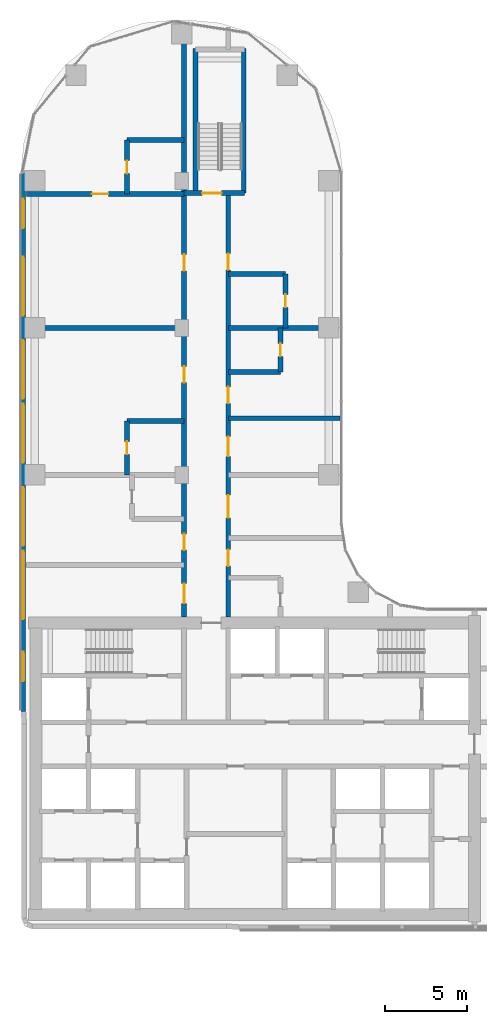
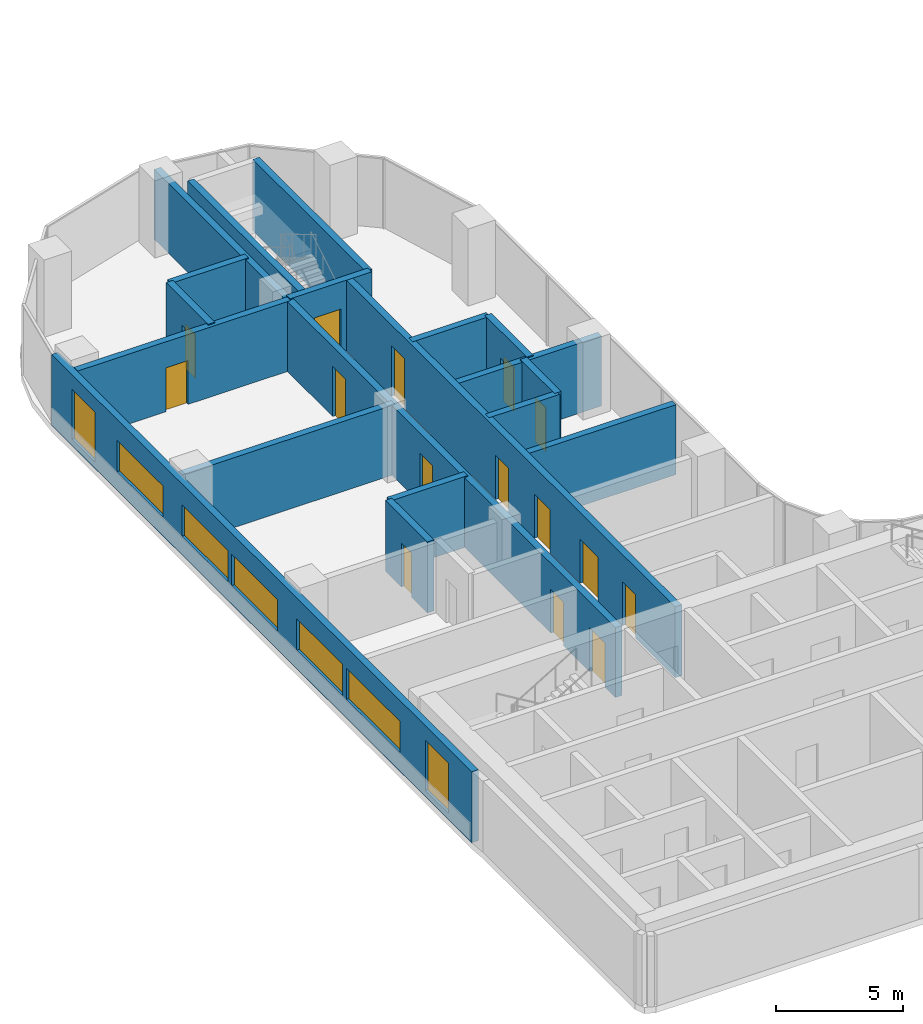
# One storey, part 21 of 35: 18 walls, 15 doors, 7 windows, 22 openings.
"""IFC4 building model written with IfcOpenShell, lengths in metres."""

from ifc_helpers import new_model, si_unit, direction, frame, frame_2d, origin, place, context, subcontext, project, spatial, rectangle, extrude, material, layer, layer_set, type_object, element, fill, save


model = new_model("IFC4")

# Units and contexts
model_context = context("Model", 3, precision=1e-05, world=origin(), true_north=direction((0.0, 1.0)))
body_context = subcontext(model_context, "Body", "Model", "MODEL_VIEW")
ifc_project = project(units=[si_unit("LENGTHUNIT", "METRE"), si_unit("AREAUNIT", "SQUARE_METRE"), si_unit("VOLUMEUNIT", "CUBIC_METRE"), si_unit("PLANEANGLEUNIT", "RADIAN"), si_unit("MASSUNIT", "GRAM", prefix="KILO")], contexts=[model_context])

# Site, building, storey
site_placement = place(None, origin())
site = spatial("IfcSite", under=ifc_project, at=site_placement, CompositionType="ELEMENT")
building_placement = place(site_placement, origin())
building = spatial("IfcBuilding", under=site, at=building_placement, Name="Ogive Portal Towers", CompositionType="ELEMENT")
storey_placement = place(building_placement, frame((0.0, 0.0, 94.5)))
storey = spatial("IfcBuildingStorey", under=building, at=storey_placement, Name="L22", CompositionType="ELEMENT", Elevation=94.5)

# Wall, openings, windows
ifc_material_1 = material(Name="Limestone cladding on lightweight block wall", Category="masonry")
ifc_layer_1 = layer(ifc_material_1, 0.300048828125)
ifc_layer_set_1 = layer_set([ifc_layer_1], Name="EXTERNAL WALL 300 STONE")
wall_type_1 = type_object("IfcWallType", Name="EXTERNAL WALL 300 STONE", PredefinedType="SOLIDWALL", material=ifc_layer_set_1)
wall_1_placement = place(storey_placement, frame((30.794921875, 66.9921875, 0.0), z_axis=(0.0, 0.0, 1.0), x_axis=(0.0, -1.0, 0.0)))
wall_1 = element("IfcWall", 1, at=wall_1_placement, inside=storey, type_object=wall_type_1, Name="A:L22:f24:r0:wall", PredefinedType="SOLIDWALL", context=body_context, shape_type="SweptSolid", body=[
    extrude(rectangle(XDim=32.9814453125, YDim=0.300048828125, at=frame_2d((16.49072265625, 0.0))), origin(), (0.0, 0.0, 1.0), 3.39990234375),
])
opening_1_placement = place(wall_1_placement, frame((1.595947265625, 0.0, 0.300048828125)))
opening_1 = element("IfcOpeningElement", 2, at=opening_1_placement, cuts=wall_1, Name="Opening WN10", PredefinedType="OPENING", context=body_context, shape_type="SweptSolid", body=[
    extrude(rectangle(XDim=1.800048828125, YDim=2.39990234375, at=frame_2d((0.89990234375, 1.199951171875))), frame((0.0, 0.16015625, 0.0), z_axis=(0.0, -1.0, 0.0), x_axis=(1.0, 0.0, 0.0)), (0.0, 0.0, 1.0), 0.320068359375),
])
opening_2_placement = place(wall_1_placement, frame((5.14208984375, 0.0, 0.89990234375)))
opening_2 = element("IfcOpeningElement", 3, at=opening_2_placement, cuts=wall_1, Name="Opening WN12", PredefinedType="OPENING", context=body_context, shape_type="SweptSolid", body=[
    extrude(rectangle(XDim=3.60009765625, YDim=1.5, at=frame_2d((1.800048828125, 0.75))), frame((0.0, 0.16015625, 0.0), z_axis=(0.0, -1.0, 0.0), x_axis=(1.0, 0.0, 0.0)), (0.0, 0.0, 1.0), 0.320068359375),
])
opening_3_placement = place(wall_1_placement, frame((10.2421875, 0.0, 0.89990234375)))
opening_3 = element("IfcOpeningElement", 4, at=opening_3_placement, cuts=wall_1, Name="Opening WN12", PredefinedType="OPENING", context=body_context, shape_type="SweptSolid", body=[
    extrude(rectangle(XDim=3.60009765625, YDim=1.5, at=frame_2d((1.800048828125, 0.75))), frame((0.0, 0.16015625, 0.0), z_axis=(0.0, -1.0, 0.0), x_axis=(1.0, 0.0, 0.0)), (0.0, 0.0, 1.0), 0.320068359375),
])
opening_4_placement = place(wall_1_placement, frame((14.14208984375, 0.0, 0.89990234375)))
opening_4 = element("IfcOpeningElement", 5, at=opening_4_placement, cuts=wall_1, Name="Opening WN12", PredefinedType="OPENING", context=body_context, shape_type="SweptSolid", body=[
    extrude(rectangle(XDim=3.60009765625, YDim=1.5, at=frame_2d((1.800048828125, 0.75))), frame((0.0, 0.16015625, 0.0), z_axis=(0.0, -1.0, 0.0), x_axis=(1.0, 0.0, 0.0)), (0.0, 0.0, 1.0), 0.320068359375),
])
opening_5_placement = place(wall_1_placement, frame((19.2421875, 0.0, 0.89990234375)))
opening_5 = element("IfcOpeningElement", 6, at=opening_5_placement, cuts=wall_1, Name="Opening WN12", PredefinedType="OPENING", context=body_context, shape_type="SweptSolid", body=[
    extrude(rectangle(XDim=3.60009765625, YDim=1.5, at=frame_2d((1.800048828125, 0.75))), frame((0.0, 0.16015625, 0.0), z_axis=(0.0, -1.0, 0.0), x_axis=(1.0, 0.0, 0.0)), (0.0, 0.0, 1.0), 0.320068359375),
])
opening_6_placement = place(wall_1_placement, frame((23.14208984375, 0.0, 0.89990234375)))
opening_6 = element("IfcOpeningElement", 7, at=opening_6_placement, cuts=wall_1, Name="Opening WN11", PredefinedType="OPENING", context=body_context, shape_type="SweptSolid", body=[
    extrude(rectangle(XDim=4.199951171875, YDim=1.5, at=frame_2d((2.10009765625, 0.75))), frame((0.0, 0.16015625, 0.0), z_axis=(0.0, -1.0, 0.0), x_axis=(1.0, 0.0, 0.0)), (0.0, 0.0, 1.0), 0.320068359375),
])
opening_7_placement = place(wall_1_placement, frame((29.336669921875, 0.0, 0.300048828125)))
opening_7 = element("IfcOpeningElement", 8, at=opening_7_placement, cuts=wall_1, Name="Opening WN10", PredefinedType="OPENING", context=body_context, shape_type="SweptSolid", body=[
    extrude(rectangle(XDim=1.800048828125, YDim=2.39990234375, at=frame_2d((0.89990234375, 1.199951171875))), frame((0.0, 0.16015625, 0.0), z_axis=(0.0, -1.0, 0.0), x_axis=(1.0, 0.0, 0.0)), (0.0, 0.0, 1.0), 0.320068359375),
])
ifc_material_2 = material(Name="Glass, clear low-iron insulated glazing", Category="glass")
window_type_1 = type_object("IfcWindowType", Name="WINDOW RIBBON 3600x1500", PartitioningType="TRIPLE_PANEL_VERTICAL", PredefinedType="WINDOW", material=ifc_material_2)
window_1_placement = place(opening_2_placement, origin())
window_1 = element("IfcWindow", 9, at=window_1_placement, inside=storey, type_object=window_type_1, Name="A:L22:f24:r0:w1", OverallHeight=1.5, OverallWidth=3.60009765625, PartitioningType="SINGLE_PANEL", PredefinedType="WINDOW", context=body_context, shape_type="SweptSolid", body=[
    extrude(rectangle(XDim=3.60009765625, YDim=1.5, at=frame_2d((1.800048828125, 0.75))), frame((0.0, 0.030029296875, 0.0), z_axis=(0.0, -1.0, 0.0), x_axis=(1.0, 0.0, 0.0)), (0.0, 0.0, 1.0), 0.06005859375),
])
fill(opening_2, window_1)
window_2_placement = place(opening_3_placement, origin())
window_2 = element("IfcWindow", 10, at=window_2_placement, inside=storey, type_object=window_type_1, Name="A:L22:f24:r0:w2", OverallHeight=1.5, OverallWidth=3.60009765625, PartitioningType="SINGLE_PANEL", PredefinedType="WINDOW", context=body_context, shape_type="SweptSolid", body=[
    extrude(rectangle(XDim=3.60009765625, YDim=1.5, at=frame_2d((1.800048828125, 0.75))), frame((0.0, 0.030029296875, 0.0), z_axis=(0.0, -1.0, 0.0), x_axis=(1.0, 0.0, 0.0)), (0.0, 0.0, 1.0), 0.06005859375),
])
fill(opening_3, window_2)
window_3_placement = place(opening_4_placement, origin())
window_3 = element("IfcWindow", 11, at=window_3_placement, inside=storey, type_object=window_type_1, Name="A:L22:f24:r0:w3", OverallHeight=1.5, OverallWidth=3.60009765625, PartitioningType="SINGLE_PANEL", PredefinedType="WINDOW", context=body_context, shape_type="SweptSolid", body=[
    extrude(rectangle(XDim=3.60009765625, YDim=1.5, at=frame_2d((1.800048828125, 0.75))), frame((0.0, 0.030029296875, 0.0), z_axis=(0.0, -1.0, 0.0), x_axis=(1.0, 0.0, 0.0)), (0.0, 0.0, 1.0), 0.06005859375),
])
fill(opening_4, window_3)
window_4_placement = place(opening_5_placement, origin())
window_4 = element("IfcWindow", 12, at=window_4_placement, inside=storey, type_object=window_type_1, Name="A:L22:f24:r0:w4", OverallHeight=1.5, OverallWidth=3.60009765625, PartitioningType="SINGLE_PANEL", PredefinedType="WINDOW", context=body_context, shape_type="SweptSolid", body=[
    extrude(rectangle(XDim=3.60009765625, YDim=1.5, at=frame_2d((1.800048828125, 0.75))), frame((0.0, 0.030029296875, 0.0), z_axis=(0.0, -1.0, 0.0), x_axis=(1.0, 0.0, 0.0)), (0.0, 0.0, 1.0), 0.06005859375),
])
fill(opening_5, window_4)
window_type_2 = type_object("IfcWindowType", Name="WINDOW RIBBON 4200x1500", PartitioningType="TRIPLE_PANEL_VERTICAL", PredefinedType="WINDOW", material=ifc_material_2)
window_5_placement = place(opening_6_placement, origin())
window_5 = element("IfcWindow", 13, at=window_5_placement, inside=storey, type_object=window_type_2, Name="A:L22:f24:r0:w5", OverallHeight=1.5, OverallWidth=4.199951171875, PartitioningType="SINGLE_PANEL", PredefinedType="WINDOW", context=body_context, shape_type="SweptSolid", body=[
    extrude(rectangle(XDim=4.199951171875, YDim=1.5, at=frame_2d((2.10009765625, 0.75))), frame((0.0, 0.030029296875, 0.0), z_axis=(0.0, -1.0, 0.0), x_axis=(1.0, 0.0, 0.0)), (0.0, 0.0, 1.0), 0.06005859375),
])
fill(opening_6, window_5)
window_type_3 = type_object("IfcWindowType", Name="WINDOW SUITE CORNER 1800x2400", PartitioningType="DOUBLE_PANEL_VERTICAL", PredefinedType="WINDOW", material=ifc_material_2)
window_6_placement = place(opening_1_placement, origin())
window_6 = element("IfcWindow", 14, at=window_6_placement, inside=storey, type_object=window_type_3, Name="A:L22:f24:r0:w0", OverallHeight=2.39990234375, OverallWidth=1.800048828125, PartitioningType="SINGLE_PANEL", PredefinedType="WINDOW", context=body_context, shape_type="SweptSolid", body=[
    extrude(rectangle(XDim=1.800048828125, YDim=2.39990234375, at=frame_2d((0.89990234375, 1.199951171875))), frame((0.0, 0.030029296875, 0.0), z_axis=(0.0, -1.0, 0.0), x_axis=(1.0, 0.0, 0.0)), (0.0, 0.0, 1.0), 0.06005859375),
])
fill(opening_1, window_6)
window_7_placement = place(opening_7_placement, origin())
window_7 = element("IfcWindow", 15, at=window_7_placement, inside=storey, type_object=window_type_3, Name="A:L22:f24:r0:w6", OverallHeight=2.39990234375, OverallWidth=1.800048828125, PartitioningType="SINGLE_PANEL", PredefinedType="WINDOW", context=body_context, shape_type="SweptSolid", body=[
    extrude(rectangle(XDim=1.800048828125, YDim=2.39990234375, at=frame_2d((0.89990234375, 1.199951171875))), frame((0.0, 0.030029296875, 0.0), z_axis=(0.0, -1.0, 0.0), x_axis=(1.0, 0.0, 0.0)), (0.0, 0.0, 1.0), 0.06005859375),
])
fill(opening_7, window_7)

# Wall, opening, door
ifc_material_3 = material(Name="Concrete C50/60", Category="concrete")
ifc_layer_2 = layer(ifc_material_3, 0.300048828125)
ifc_layer_set_2 = layer_set([ifc_layer_2], Name="STAIR WALL 300 C50")
wall_type_2 = type_object("IfcWallType", Name="STAIR WALL 300 C50", PredefinedType="SHEAR", material=ifc_layer_set_2)
wall_2_placement = place(storey_placement, frame((40.64990234375, 65.75, 0.0), z_axis=(0.0, 0.0, 1.0), x_axis=(1.0, 0.0, 0.0)))
wall_2 = element("IfcWall", 16, at=wall_2_placement, inside=storey, type_object=wall_type_2, Name="Stair wall ST-A3 L22", PredefinedType="SHEAR", context=body_context, shape_type="SweptSolid", body=[
    extrude(rectangle(XDim=3.7001953125, YDim=0.300048828125, at=frame_2d((1.85009765625, 0.0))), origin(), (0.0, 0.0, 1.0), 3.39990234375),
])
opening_8_placement = place(wall_2_placement, frame((1.10009765625, 0.0, 0.0)))
opening_8 = element("IfcOpeningElement", 17, at=opening_8_placement, cuts=wall_2, Name="Opening D07-065", PredefinedType="OPENING", context=body_context, shape_type="SweptSolid", body=[
    extrude(rectangle(XDim=1.199951171875, YDim=2.10009765625, at=frame_2d((0.60009765625, 1.050048828125))), frame((0.0, 0.16015625, 0.0), z_axis=(0.0, -1.0, 0.0), x_axis=(1.0, 0.0, 0.0)), (0.0, 0.0, 1.0), 0.320068359375),
])
ifc_material_4 = material(Name="Steel fire door", Category="steel")
door_type_1 = type_object("IfcDoorType", Name="DT-STAIR-1200x2100-FD90S", OperationType="SINGLE_SWING_LEFT", PredefinedType="DOOR", material=ifc_material_4)
door_1_placement = place(opening_8_placement, origin())
door_1 = element("IfcDoor", 18, at=door_1_placement, inside=storey, type_object=door_type_1, Name="Door D07-065", OperationType="SINGLE_SWING_RIGHT", OverallHeight=2.10009765625, OverallWidth=1.199951171875, PredefinedType="DOOR", context=body_context, shape_type="SweptSolid", body=[
    extrude(rectangle(XDim=1.199951171875, YDim=2.10009765625, at=frame_2d((0.60009765625, 1.050048828125))), frame((0.0, 0.02490234375, 0.0), z_axis=(0.0, -1.0, 0.0), x_axis=(1.0, 0.0, 0.0)), (0.0, 0.0, 1.0), 0.050048828125),
])
fill(opening_8, door_1)

# Walls
for number, where, z_axis, x_axis, name in (
    (19, (41.35009765625, 65.75, 0.0), (0.0, 0.0, 1.0), (0.0, 1.0, 0.0), "Stair wall ST-A3 L22"),
    (20, (44.300048828125, 65.75, 0.0), (0.0, 0.0, 1.0), (0.0, 1.0, 0.0), "Stair wall ST-A3 L22"),
):
    element("IfcWall", number, at=place(storey_placement, frame(where, z_axis=z_axis, x_axis=x_axis)), inside=storey, type_object=wall_type_2, Name=name, PredefinedType="SHEAR", context=body_context, shape_type="SweptSolid", body=[
        extrude(rectangle(XDim=8.85009765625, YDim=0.300048828125, at=frame_2d((4.425048828125, 0.0))), origin(), (0.0, 0.0, 1.0), 3.39990234375),
    ])
ifc_material_5 = material(Name="Gypsum board partition on steel studs", Category="steel")
ifc_layer_3 = layer(ifc_material_5, 0.300048828125)
ifc_layer_set_3 = layer_set([ifc_layer_3], Name="WT-PART-300-EI 60")
wall_type_3 = type_object("IfcWallType", Name="WT-PART-300-EI 60", PredefinedType="PARTITIONING", material=ifc_layer_set_3)
wall_3_placement = place(storey_placement, frame((37.14990234375, 51.800048828125, 0.0), z_axis=(0.0, 0.0, 1.0), x_axis=(1.0, 0.0, 0.0)))
element("IfcWall", 21, at=wall_3_placement, inside=storey, type_object=wall_type_3, Name="Wall L22:w022", PredefinedType="PARTITIONING", context=body_context, shape_type="SweptSolid", body=[
    extrude(rectangle(XDim=3.5, YDim=0.300048828125, at=frame_2d((1.75, 0.0))), origin(), (0.0, 0.0, 1.0), 3.39990234375),
])
wall_4_placement = place(storey_placement, frame((43.35009765625, 51.969970703125, 0.0), z_axis=(0.0, 0.0, 1.0), x_axis=(1.0, 0.0, 0.0)))
element("IfcWall", 22, at=wall_4_placement, inside=storey, type_object=wall_type_3, Name="Wall L22:w023", PredefinedType="PARTITIONING", context=body_context, shape_type="SweptSolid", body=[
    extrude(rectangle(XDim=6.8349609375, YDim=0.300048828125, at=frame_2d((3.41748046875, 0.0))), origin(), (0.0, 0.0, 1.0), 3.35009765625),
])
wall_5_placement = place(storey_placement, frame((43.35009765625, 54.800048828125, 0.0), z_axis=(0.0, 0.0, 1.0), x_axis=(1.0, 0.0, 0.0)))
element("IfcWall", 23, at=wall_5_placement, inside=storey, type_object=wall_type_3, Name="Wall L22:w024", PredefinedType="PARTITIONING", context=body_context, shape_type="SweptSolid", body=[
    extrude(rectangle(XDim=3.199951171875, YDim=0.300048828125, at=frame_2d((1.60009765625, 0.0))), origin(), (0.0, 0.0, 1.0), 3.39990234375),
])
wall_6_placement = place(storey_placement, frame((30.9951171875, 57.5, 0.0), z_axis=(0.0, 0.0, 1.0), x_axis=(1.0, 0.0, 0.0)))
element("IfcWall", 24, at=wall_6_placement, inside=storey, type_object=wall_type_3, Name="Wall L22:w025", PredefinedType="PARTITIONING", context=body_context, shape_type="SweptSolid", body=[
    extrude(rectangle(XDim=9.65478515625, YDim=0.300048828125, at=frame_2d((4.827392578125, 0.0))), origin(), (0.0, 0.0, 1.0), 3.35009765625),
])
wall_7_placement = place(storey_placement, frame((43.35009765625, 57.5, 0.0), z_axis=(0.0, 0.0, 1.0), x_axis=(1.0, 0.0, 0.0)))
element("IfcWall", 25, at=wall_7_placement, inside=storey, type_object=wall_type_3, Name="Wall L22:w026", PredefinedType="PARTITIONING", context=body_context, shape_type="SweptSolid", body=[
    extrude(rectangle(XDim=6.65478515625, YDim=0.300048828125, at=frame_2d((3.327392578125, 0.0))), origin(), (0.0, 0.0, 1.0), 3.35009765625),
])
wall_8_placement = place(storey_placement, frame((43.35009765625, 60.800048828125, 0.0), z_axis=(0.0, 0.0, 1.0), x_axis=(1.0, 0.0, 0.0)))
element("IfcWall", 26, at=wall_8_placement, inside=storey, type_object=wall_type_3, Name="Wall L22:w027", PredefinedType="PARTITIONING", context=body_context, shape_type="SweptSolid", body=[
    extrude(rectangle(XDim=3.5, YDim=0.300048828125, at=frame_2d((1.75, 0.0))), origin(), (0.0, 0.0, 1.0), 3.39990234375),
])

# Wall, opening, door
wall_9_placement = place(storey_placement, frame((30.9951171875, 65.699951171875, 0.0), z_axis=(0.0, 0.0, 1.0), x_axis=(1.0, 0.0, 0.0)))
wall_9 = element("IfcWall", 27, at=wall_9_placement, inside=storey, type_object=wall_type_3, Name="Wall L22:w028", PredefinedType="PARTITIONING", context=body_context, shape_type="SweptSolid", body=[
    extrude(rectangle(XDim=9.65478515625, YDim=0.300048828125, at=frame_2d((4.827392578125, 0.0))), origin(), (0.0, 0.0, 1.0), 3.35009765625),
])
opening_9_placement = place(wall_9_placement, frame((4.0048828125, 0.0, 0.0)))
opening_9 = element("IfcOpeningElement", 28, at=opening_9_placement, cuts=wall_9, Name="Opening D07-059", PredefinedType="OPENING", context=body_context, shape_type="SweptSolid", body=[
    extrude(rectangle(XDim=1.0, YDim=2.10009765625, at=frame_2d((0.5, 1.050048828125))), frame((0.0, 0.16015625, 0.0), z_axis=(0.0, -1.0, 0.0), x_axis=(1.0, 0.0, 0.0)), (0.0, 0.0, 1.0), 0.320068359375),
])
door_type_2 = type_object("IfcDoorType", Name="DT-ENTRY-1000x2100-FD60S", OperationType="SINGLE_SWING_LEFT", PredefinedType="DOOR", material=ifc_material_4)
door_2_placement = place(opening_9_placement, origin())
door_2 = element("IfcDoor", 29, at=door_2_placement, inside=storey, type_object=door_type_2, Name="Door D07-059", OperationType="SINGLE_SWING_LEFT", OverallHeight=2.10009765625, OverallWidth=1.0, PredefinedType="DOOR", context=body_context, shape_type="SweptSolid", body=[
    extrude(rectangle(XDim=1.0, YDim=2.10009765625, at=frame_2d((0.5, 1.050048828125))), frame((0.0, 0.02490234375, 0.0), z_axis=(0.0, -1.0, 0.0), x_axis=(1.0, 0.0, 0.0)), (0.0, 0.0, 1.0), 0.050048828125),
])
fill(opening_9, door_2)

# Wall
wall_10_placement = place(storey_placement, frame((37.14990234375, 69.0, 0.0), z_axis=(0.0, 0.0, 1.0), x_axis=(1.0, 0.0, 0.0)))
element("IfcWall", 30, at=wall_10_placement, inside=storey, type_object=wall_type_3, Name="Wall L22:w030", PredefinedType="PARTITIONING", context=body_context, shape_type="SweptSolid", body=[
    extrude(rectangle(XDim=3.5, YDim=0.300048828125, at=frame_2d((1.75, 0.0))), origin(), (0.0, 0.0, 1.0), 3.39990234375),
])

# Wall, opening, door
wall_11_placement = place(storey_placement, frame((37.14990234375, 48.5, 0.0), z_axis=(0.0, 0.0, 1.0), x_axis=(0.0, 1.0, 0.0)))
wall_11 = element("IfcWall", 31, at=wall_11_placement, inside=storey, type_object=wall_type_3, Name="Wall L22:w032", PredefinedType="PARTITIONING", context=body_context, shape_type="SweptSolid", body=[
    extrude(rectangle(XDim=3.300048828125, YDim=0.300048828125, at=frame_2d((1.64990234375, 0.0))), origin(), (0.0, 0.0, 1.0), 3.39990234375),
])
opening_10_placement = place(wall_11_placement, frame((1.25, 0.0, 0.0)))
opening_10 = element("IfcOpeningElement", 32, at=opening_10_placement, cuts=wall_11, Name="Opening D07-054", PredefinedType="OPENING", context=body_context, shape_type="SweptSolid", body=[
    extrude(rectangle(XDim=0.800048828125, YDim=2.10009765625, at=frame_2d((0.39990234375, 1.050048828125))), frame((0.0, 0.16015625, 0.0), z_axis=(0.0, -1.0, 0.0), x_axis=(1.0, 0.0, 0.0)), (0.0, 0.0, 1.0), 0.320068359375),
])
door_type_3 = type_object("IfcDoorType", Name="DT-BATH-800x2100-FD60S", OperationType="SINGLE_SWING_LEFT", PredefinedType="DOOR", material=ifc_material_4)
door_3_placement = place(opening_10_placement, origin())
door_3 = element("IfcDoor", 33, at=door_3_placement, inside=storey, type_object=door_type_3, Name="Door D07-054", OperationType="SINGLE_SWING_RIGHT", OverallHeight=2.10009765625, OverallWidth=0.800048828125, PredefinedType="DOOR", context=body_context, shape_type="SweptSolid", body=[
    extrude(rectangle(XDim=0.800048828125, YDim=2.10009765625, at=frame_2d((0.39990234375, 1.050048828125))), frame((0.0, 0.02490234375, 0.0), z_axis=(0.0, -1.0, 0.0), x_axis=(1.0, 0.0, 0.0)), (0.0, 0.0, 1.0), 0.050048828125),
])
fill(opening_10, door_3)

wall_12_placement = place(storey_placement, frame((37.14990234375, 65.699951171875, 0.0), z_axis=(0.0, 0.0, 1.0), x_axis=(0.0, 1.0, 0.0)))
wall_12 = element("IfcWall", 34, at=wall_12_placement, inside=storey, type_object=wall_type_3, Name="Wall L22:w033", PredefinedType="PARTITIONING", context=body_context, shape_type="SweptSolid", body=[
    extrude(rectangle(XDim=3.300048828125, YDim=0.300048828125, at=frame_2d((1.64990234375, 0.0))), origin(), (0.0, 0.0, 1.0), 3.39990234375),
])
opening_11_placement = place(wall_12_placement, frame((1.25, 0.0, 0.0)))
opening_11 = element("IfcOpeningElement", 35, at=opening_11_placement, cuts=wall_12, Name="Opening D07-060", PredefinedType="OPENING", context=body_context, shape_type="SweptSolid", body=[
    extrude(rectangle(XDim=0.800048828125, YDim=2.10009765625, at=frame_2d((0.39990234375, 1.050048828125))), frame((0.0, 0.16015625, 0.0), z_axis=(0.0, -1.0, 0.0), x_axis=(1.0, 0.0, 0.0)), (0.0, 0.0, 1.0), 0.320068359375),
])
door_4_placement = place(opening_11_placement, origin())
door_4 = element("IfcDoor", 36, at=door_4_placement, inside=storey, type_object=door_type_3, Name="Door D07-060", OperationType="SINGLE_SWING_LEFT", OverallHeight=2.10009765625, OverallWidth=0.800048828125, PredefinedType="DOOR", context=body_context, shape_type="SweptSolid", body=[
    extrude(rectangle(XDim=0.800048828125, YDim=2.10009765625, at=frame_2d((0.39990234375, 1.050048828125))), frame((0.0, 0.02490234375, 0.0), z_axis=(0.0, -1.0, 0.0), x_axis=(1.0, 0.0, 0.0)), (0.0, 0.0, 1.0), 0.050048828125),
])
fill(opening_11, door_4)

# Wall, openings, doors
wall_13_placement = place(storey_placement, frame((40.64990234375, 39.800048828125, 0.0), z_axis=(0.0, 0.0, 1.0), x_axis=(0.0, 1.0, 0.0)))
wall_13 = element("IfcWall", 37, at=wall_13_placement, inside=storey, type_object=wall_type_3, Name="Wall L22:w035", PredefinedType="PARTITIONING", context=body_context, shape_type="SweptSolid", body=[
    extrude(rectangle(XDim=36.204833984375, YDim=0.300048828125, at=frame_2d((18.1025390625, 0.0))), origin(), (0.0, 0.0, 1.0), 3.35009765625),
])
opening_12_placement = place(wall_13_placement, frame((0.8349609375, 0.0, 0.0)))
opening_12 = element("IfcOpeningElement", 38, at=opening_12_placement, cuts=wall_13, Name="Opening D07-048", PredefinedType="OPENING", context=body_context, shape_type="SweptSolid", body=[
    extrude(rectangle(XDim=1.199951171875, YDim=2.10009765625, at=frame_2d((0.60009765625, 1.050048828125))), frame((0.0, 0.16015625, 0.0), z_axis=(0.0, -1.0, 0.0), x_axis=(1.0, 0.0, 0.0)), (0.0, 0.0, 1.0), 0.320068359375),
])
opening_13_placement = place(wall_13_placement, frame((4.0849609375, 0.0, 0.0)))
opening_13 = element("IfcOpeningElement", 39, at=opening_13_placement, cuts=wall_13, Name="Opening D07-050", PredefinedType="OPENING", context=body_context, shape_type="SweptSolid", body=[
    extrude(rectangle(XDim=1.0, YDim=2.10009765625, at=frame_2d((0.5, 1.050048828125))), frame((0.0, 0.16015625, 0.0), z_axis=(0.0, -1.0, 0.0), x_axis=(1.0, 0.0, 0.0)), (0.0, 0.0, 1.0), 0.320068359375),
])
opening_14_placement = place(wall_13_placement, frame((14.35009765625, 0.0, 0.0)))
opening_14 = element("IfcOpeningElement", 40, at=opening_14_placement, cuts=wall_13, Name="Opening D07-055", PredefinedType="OPENING", context=body_context, shape_type="SweptSolid", body=[
    extrude(rectangle(XDim=1.0, YDim=2.39990234375, at=frame_2d((0.5, 1.199951171875))), frame((0.0, 0.16015625, 0.0), z_axis=(0.0, -1.0, 0.0), x_axis=(1.0, 0.0, 0.0)), (0.0, 0.0, 1.0), 0.320068359375),
])
opening_15_placement = place(wall_13_placement, frame((21.199951171875, 0.0, 0.0)))
opening_15 = element("IfcOpeningElement", 41, at=opening_15_placement, cuts=wall_13, Name="Opening D07-058", PredefinedType="OPENING", context=body_context, shape_type="SweptSolid", body=[
    extrude(rectangle(XDim=1.0, YDim=2.39990234375, at=frame_2d((0.5, 1.199951171875))), frame((0.0, 0.16015625, 0.0), z_axis=(0.0, -1.0, 0.0), x_axis=(1.0, 0.0, 0.0)), (0.0, 0.0, 1.0), 0.320068359375),
])
door_5_placement = place(opening_13_placement, origin())
door_5 = element("IfcDoor", 42, at=door_5_placement, inside=storey, type_object=door_type_2, Name="Door D07-050", OperationType="SINGLE_SWING_RIGHT", OverallHeight=2.10009765625, OverallWidth=1.0, PredefinedType="DOOR", context=body_context, shape_type="SweptSolid", body=[
    extrude(rectangle(XDim=1.0, YDim=2.10009765625, at=frame_2d((0.5, 1.050048828125))), frame((0.0, 0.02490234375, 0.0), z_axis=(0.0, -1.0, 0.0), x_axis=(1.0, 0.0, 0.0)), (0.0, 0.0, 1.0), 0.050048828125),
])
fill(opening_13, door_5)
door_type_4 = type_object("IfcDoorType", Name="DT-ENTRY-1000x2400-FD60S", OperationType="SINGLE_SWING_LEFT", PredefinedType="DOOR", material=ifc_material_4)
door_6_placement = place(opening_14_placement, origin())
door_6 = element("IfcDoor", 43, at=door_6_placement, inside=storey, type_object=door_type_4, Name="Door D07-055", OperationType="SINGLE_SWING_LEFT", OverallHeight=2.39990234375, OverallWidth=1.0, PredefinedType="DOOR", context=body_context, shape_type="SweptSolid", body=[
    extrude(rectangle(XDim=1.0, YDim=2.39990234375, at=frame_2d((0.5, 1.199951171875))), frame((0.0, 0.02490234375, 0.0), z_axis=(0.0, -1.0, 0.0), x_axis=(1.0, 0.0, 0.0)), (0.0, 0.0, 1.0), 0.050048828125),
])
fill(opening_14, door_6)
door_7_placement = place(opening_15_placement, origin())
door_7 = element("IfcDoor", 44, at=door_7_placement, inside=storey, type_object=door_type_4, Name="Door D07-058", OperationType="SINGLE_SWING_RIGHT", OverallHeight=2.39990234375, OverallWidth=1.0, PredefinedType="DOOR", context=body_context, shape_type="SweptSolid", body=[
    extrude(rectangle(XDim=1.0, YDim=2.39990234375, at=frame_2d((0.5, 1.199951171875))), frame((0.0, 0.02490234375, 0.0), z_axis=(0.0, -1.0, 0.0), x_axis=(1.0, 0.0, 0.0)), (0.0, 0.0, 1.0), 0.050048828125),
])
fill(opening_15, door_7)
door_type_5 = type_object("IfcDoorType", Name="DT-ENTRY-1200x2100-FD60S", OperationType="SINGLE_SWING_LEFT", PredefinedType="DOOR", material=ifc_material_4)
door_8_placement = place(opening_12_placement, origin())
door_8 = element("IfcDoor", 45, at=door_8_placement, inside=storey, type_object=door_type_5, Name="Door D07-048", OperationType="SINGLE_SWING_LEFT", OverallHeight=2.10009765625, OverallWidth=1.199951171875, PredefinedType="DOOR", context=body_context, shape_type="SweptSolid", body=[
    extrude(rectangle(XDim=1.199951171875, YDim=2.10009765625, at=frame_2d((0.60009765625, 1.050048828125))), frame((0.0, 0.02490234375, 0.0), z_axis=(0.0, -1.0, 0.0), x_axis=(1.0, 0.0, 0.0)), (0.0, 0.0, 1.0), 0.050048828125),
])
fill(opening_12, door_8)

# Wall, opening, door
wall_14_placement = place(storey_placement, frame((46.550048828125, 54.800048828125, 0.0), z_axis=(0.0, 0.0, 1.0), x_axis=(0.0, 1.0, 0.0)))
wall_14 = element("IfcWall", 46, at=wall_14_placement, inside=storey, type_object=wall_type_3, Name="Wall L22:w041", PredefinedType="PARTITIONING", context=body_context, shape_type="SweptSolid", body=[
    extrude(rectangle(XDim=2.699951171875, YDim=0.300048828125, at=frame_2d((1.35009765625, 0.0))), origin(), (0.0, 0.0, 1.0), 3.39990234375),
])
opening_16_placement = place(wall_14_placement, frame((0.949951171875, 0.0, 0.0)))
opening_16 = element("IfcOpeningElement", 47, at=opening_16_placement, cuts=wall_14, Name="Opening D07-052", PredefinedType="OPENING", context=body_context, shape_type="SweptSolid", body=[
    extrude(rectangle(XDim=0.800048828125, YDim=2.10009765625, at=frame_2d((0.39990234375, 1.050048828125))), frame((0.0, 0.16015625, 0.0), z_axis=(0.0, -1.0, 0.0), x_axis=(1.0, 0.0, 0.0)), (0.0, 0.0, 1.0), 0.320068359375),
])
door_9_placement = place(opening_16_placement, origin())
door_9 = element("IfcDoor", 48, at=door_9_placement, inside=storey, type_object=door_type_3, Name="Door D07-052", OperationType="SINGLE_SWING_LEFT", OverallHeight=2.10009765625, OverallWidth=0.800048828125, PredefinedType="DOOR", context=body_context, shape_type="SweptSolid", body=[
    extrude(rectangle(XDim=0.800048828125, YDim=2.10009765625, at=frame_2d((0.39990234375, 1.050048828125))), frame((0.0, 0.02490234375, 0.0), z_axis=(0.0, -1.0, 0.0), x_axis=(1.0, 0.0, 0.0)), (0.0, 0.0, 1.0), 0.050048828125),
])
fill(opening_16, door_9)

wall_15_placement = place(storey_placement, frame((46.85009765625, 57.5, 0.0), z_axis=(0.0, 0.0, 1.0), x_axis=(0.0, 1.0, 0.0)))
wall_15 = element("IfcWall", 49, at=wall_15_placement, inside=storey, type_object=wall_type_3, Name="Wall L22:w042", PredefinedType="PARTITIONING", context=body_context, shape_type="SweptSolid", body=[
    extrude(rectangle(XDim=3.300048828125, YDim=0.300048828125, at=frame_2d((1.64990234375, 0.0))), origin(), (0.0, 0.0, 1.0), 3.39990234375),
])
opening_17_placement = place(wall_15_placement, frame((1.25, 0.0, 0.0)))
opening_17 = element("IfcOpeningElement", 50, at=opening_17_placement, cuts=wall_15, Name="Opening D07-056", PredefinedType="OPENING", context=body_context, shape_type="SweptSolid", body=[
    extrude(rectangle(XDim=0.800048828125, YDim=2.10009765625, at=frame_2d((0.39990234375, 1.050048828125))), frame((0.0, 0.16015625, 0.0), z_axis=(0.0, -1.0, 0.0), x_axis=(1.0, 0.0, 0.0)), (0.0, 0.0, 1.0), 0.320068359375),
])
door_10_placement = place(opening_17_placement, origin())
door_10 = element("IfcDoor", 51, at=door_10_placement, inside=storey, type_object=door_type_3, Name="Door D07-056", OperationType="SINGLE_SWING_LEFT", OverallHeight=2.10009765625, OverallWidth=0.800048828125, PredefinedType="DOOR", context=body_context, shape_type="SweptSolid", body=[
    extrude(rectangle(XDim=0.800048828125, YDim=2.10009765625, at=frame_2d((0.39990234375, 1.050048828125))), frame((0.0, 0.02490234375, 0.0), z_axis=(0.0, -1.0, 0.0), x_axis=(1.0, 0.0, 0.0)), (0.0, 0.0, 1.0), 0.050048828125),
])
fill(opening_17, door_10)

# Wall, openings, doors
ifc_material_6 = material(Name="Concrete C40/50", Category="concrete")
ifc_layer_4 = layer(ifc_material_6, 0.300048828125)
ifc_layer_set_4 = layer_set([ifc_layer_4], Name="WT-SHAFT-300")
wall_type_4 = type_object("IfcWallType", Name="WT-SHAFT-300", PredefinedType="SOLIDWALL", material=ifc_layer_set_4)
wall_16_placement = place(storey_placement, frame((43.35009765625, 39.800048828125, 0.0), z_axis=(0.0, 0.0, 1.0), x_axis=(0.0, 1.0, 0.0)))
wall_16 = element("IfcWall", 52, at=wall_16_placement, inside=storey, type_object=wall_type_4, Name="Wall L22:w037", PredefinedType="SOLIDWALL", context=body_context, shape_type="SweptSolid", body=[
    extrude(rectangle(XDim=26.0, YDim=0.300048828125, at=frame_2d((13.0, 0.0))), origin(), (0.0, 0.0, 1.0), 3.39990234375),
])
opening_18_placement = place(wall_16_placement, frame((3.114990234375, 0.0, 0.0)))
opening_18 = element("IfcOpeningElement", 53, at=opening_18_placement, cuts=wall_16, Name="Opening D07-046", PredefinedType="OPENING", context=body_context, shape_type="SweptSolid", body=[
    extrude(rectangle(XDim=1.0, YDim=2.10009765625, at=frame_2d((0.5, 1.050048828125))), frame((0.0, 0.16015625, 0.0), z_axis=(0.0, -1.0, 0.0), x_axis=(1.0, 0.0, 0.0)), (0.0, 0.0, 1.0), 0.320068359375),
])
opening_19_placement = place(wall_16_placement, frame((6.06494140625, 0.0, 0.0)))
opening_19 = element("IfcOpeningElement", 54, at=opening_19_placement, cuts=wall_16, Name="Opening D07-047", PredefinedType="OPENING", context=body_context, shape_type="SweptSolid", body=[
    extrude(rectangle(XDim=1.39990234375, YDim=2.10009765625, at=frame_2d((0.699951171875, 1.050048828125))), frame((0.0, 0.16015625, 0.0), z_axis=(0.0, -1.0, 0.0), x_axis=(1.0, 0.0, 0.0)), (0.0, 0.0, 1.0), 0.320068359375),
])
opening_20_placement = place(wall_16_placement, frame((9.8349609375, 0.0, 0.0)))
opening_20 = element("IfcOpeningElement", 55, at=opening_20_placement, cuts=wall_16, Name="Opening D07-051", PredefinedType="OPENING", context=body_context, shape_type="SweptSolid", body=[
    extrude(rectangle(XDim=1.199951171875, YDim=2.10009765625, at=frame_2d((0.60009765625, 1.050048828125))), frame((0.0, 0.16015625, 0.0), z_axis=(0.0, -1.0, 0.0), x_axis=(1.0, 0.0, 0.0)), (0.0, 0.0, 1.0), 0.320068359375),
])
opening_21_placement = place(wall_16_placement, frame((13.0849609375, 0.0, 0.0)))
opening_21 = element("IfcOpeningElement", 56, at=opening_21_placement, cuts=wall_16, Name="Opening D07-053", PredefinedType="OPENING", context=body_context, shape_type="SweptSolid", body=[
    extrude(rectangle(XDim=1.0, YDim=2.10009765625, at=frame_2d((0.5, 1.050048828125))), frame((0.0, 0.16015625, 0.0), z_axis=(0.0, -1.0, 0.0), x_axis=(1.0, 0.0, 0.0)), (0.0, 0.0, 1.0), 0.320068359375),
])
opening_22_placement = place(wall_16_placement, frame((21.25, 0.0, 0.0)))
opening_22 = element("IfcOpeningElement", 57, at=opening_22_placement, cuts=wall_16, Name="Opening D07-057", PredefinedType="OPENING", context=body_context, shape_type="SweptSolid", body=[
    extrude(rectangle(XDim=1.0, YDim=2.39990234375, at=frame_2d((0.5, 1.199951171875))), frame((0.0, 0.16015625, 0.0), z_axis=(0.0, -1.0, 0.0), x_axis=(1.0, 0.0, 0.0)), (0.0, 0.0, 1.0), 0.320068359375),
])
door_type_6 = type_object("IfcDoorType", Name="DT-ENTRY-1000x2100-FD90S", OperationType="SINGLE_SWING_LEFT", PredefinedType="DOOR", material=ifc_material_4)
door_11_placement = place(opening_18_placement, origin())
door_11 = element("IfcDoor", 58, at=door_11_placement, inside=storey, type_object=door_type_6, Name="Door D07-046", OperationType="SINGLE_SWING_LEFT", OverallHeight=2.10009765625, OverallWidth=1.0, PredefinedType="DOOR", context=body_context, shape_type="SweptSolid", body=[
    extrude(rectangle(XDim=1.0, YDim=2.10009765625, at=frame_2d((0.5, 1.050048828125))), frame((0.0, 0.02490234375, 0.0), z_axis=(0.0, -1.0, 0.0), x_axis=(1.0, 0.0, 0.0)), (0.0, 0.0, 1.0), 0.050048828125),
])
fill(opening_18, door_11)
door_12_placement = place(opening_21_placement, origin())
door_12 = element("IfcDoor", 59, at=door_12_placement, inside=storey, type_object=door_type_6, Name="Door D07-053", OperationType="SINGLE_SWING_RIGHT", OverallHeight=2.10009765625, OverallWidth=1.0, PredefinedType="DOOR", context=body_context, shape_type="SweptSolid", body=[
    extrude(rectangle(XDim=1.0, YDim=2.10009765625, at=frame_2d((0.5, 1.050048828125))), frame((0.0, 0.02490234375, 0.0), z_axis=(0.0, -1.0, 0.0), x_axis=(1.0, 0.0, 0.0)), (0.0, 0.0, 1.0), 0.050048828125),
])
fill(opening_21, door_12)
door_type_7 = type_object("IfcDoorType", Name="DT-ENTRY-1000x2400-FD90S", OperationType="SINGLE_SWING_LEFT", PredefinedType="DOOR", material=ifc_material_4)
door_13_placement = place(opening_22_placement, origin())
door_13 = element("IfcDoor", 60, at=door_13_placement, inside=storey, type_object=door_type_7, Name="Door D07-057", OperationType="SINGLE_SWING_LEFT", OverallHeight=2.39990234375, OverallWidth=1.0, PredefinedType="DOOR", context=body_context, shape_type="SweptSolid", body=[
    extrude(rectangle(XDim=1.0, YDim=2.39990234375, at=frame_2d((0.5, 1.199951171875))), frame((0.0, 0.02490234375, 0.0), z_axis=(0.0, -1.0, 0.0), x_axis=(1.0, 0.0, 0.0)), (0.0, 0.0, 1.0), 0.050048828125),
])
fill(opening_22, door_13)
door_type_8 = type_object("IfcDoorType", Name="DT-ENTRY-1200x2100-FD90S", OperationType="SINGLE_SWING_LEFT", PredefinedType="DOOR", material=ifc_material_4)
door_14_placement = place(opening_20_placement, origin())
door_14 = element("IfcDoor", 61, at=door_14_placement, inside=storey, type_object=door_type_8, Name="Door D07-051", OperationType="SINGLE_SWING_LEFT", OverallHeight=2.10009765625, OverallWidth=1.199951171875, PredefinedType="DOOR", context=body_context, shape_type="SweptSolid", body=[
    extrude(rectangle(XDim=1.199951171875, YDim=2.10009765625, at=frame_2d((0.60009765625, 1.050048828125))), frame((0.0, 0.02490234375, 0.0), z_axis=(0.0, -1.0, 0.0), x_axis=(1.0, 0.0, 0.0)), (0.0, 0.0, 1.0), 0.050048828125),
])
fill(opening_20, door_14)
door_type_9 = type_object("IfcDoorType", Name="DT-ENTRY-1400x2100-FD90S", OperationType="SINGLE_SWING_LEFT", PredefinedType="DOOR", material=ifc_material_4)
door_15_placement = place(opening_19_placement, origin())
door_15 = element("IfcDoor", 62, at=door_15_placement, inside=storey, type_object=door_type_9, Name="Door D07-047", OperationType="SINGLE_SWING_LEFT", OverallHeight=2.10009765625, OverallWidth=1.39990234375, PredefinedType="DOOR", context=body_context, shape_type="SweptSolid", body=[
    extrude(rectangle(XDim=1.39990234375, YDim=2.10009765625, at=frame_2d((0.699951171875, 1.050048828125))), frame((0.0, 0.02490234375, 0.0), z_axis=(0.0, -1.0, 0.0), x_axis=(1.0, 0.0, 0.0)), (0.0, 0.0, 1.0), 0.050048828125),
])
fill(opening_19, door_15)

save(model, "model.ifc")
